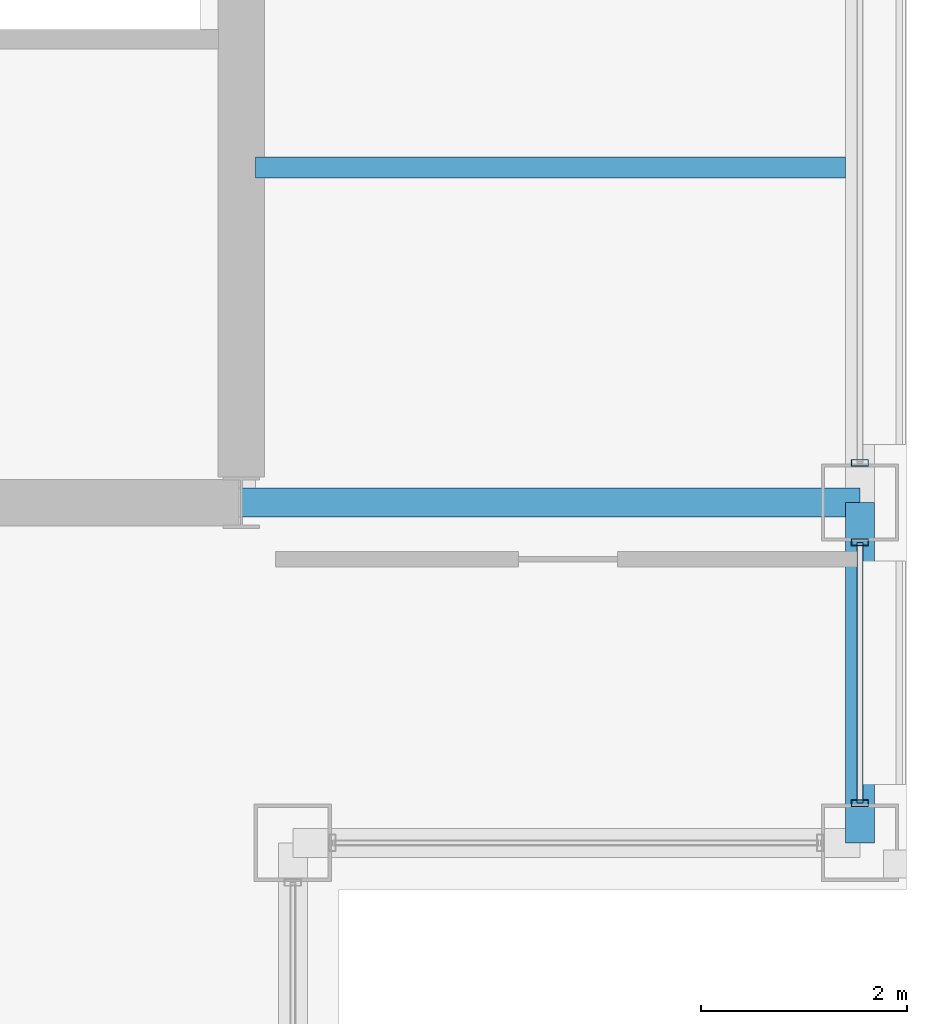
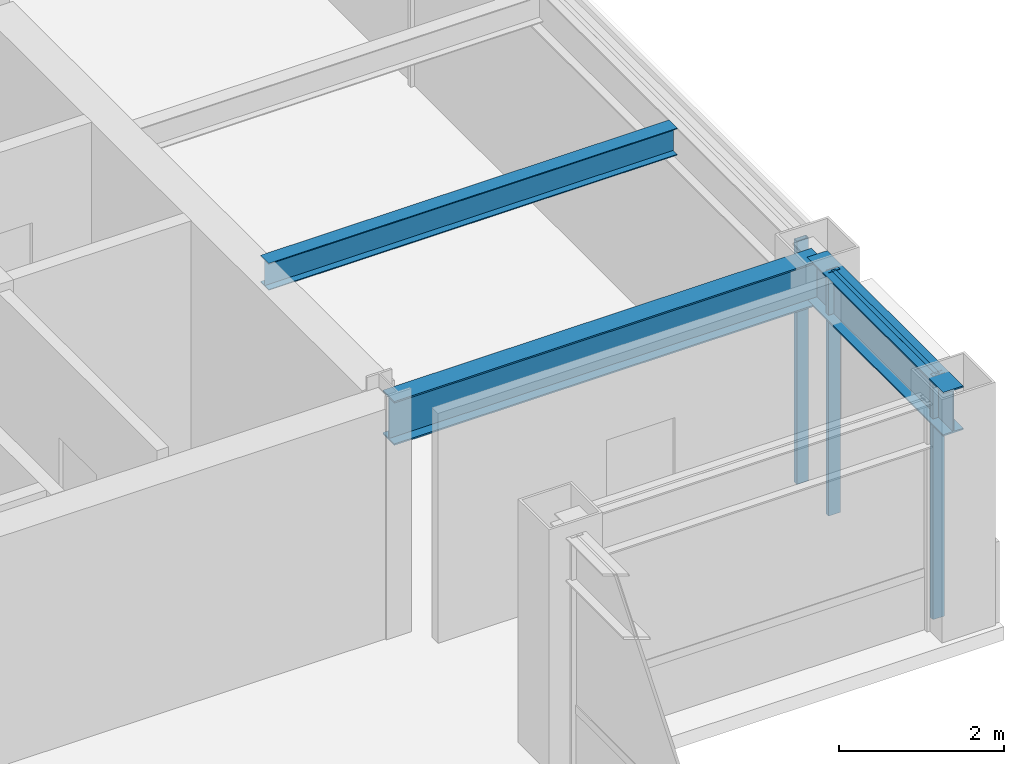
# One storey, part 14 of 31: 4 members, 3 beams, 2 elements without a shape of their own.
"""IFC4 building model written with IfcOpenShell, lengths in metres."""

from ifc_helpers import new_model, si_unit, direction, frame, origin, origin_2d, place, context, subcontext, project, spatial, hollow_rectangle, i_section, extrude, material, layer, layer_set, material_profile, profile_set, type_object, element, aggregate, save


model = new_model("IFC4")

# Units and contexts
model_context = context("Model", 3, precision=1e-05, world=origin(), true_north=direction((0.0, 1.0)))
body_context = subcontext(model_context, "Body", "Model", "MODEL_VIEW")
ifc_project = project(units=[si_unit("LENGTHUNIT", "METRE"), si_unit("AREAUNIT", "SQUARE_METRE"), si_unit("VOLUMEUNIT", "CUBIC_METRE"), si_unit("PLANEANGLEUNIT", "RADIAN"), si_unit("MASSUNIT", "GRAM", prefix="KILO")], contexts=[model_context])

# Site, building, storey
site_placement = place(None, origin())
site = spatial("IfcSite", under=ifc_project, at=site_placement, CompositionType="ELEMENT")
building_placement = place(site_placement, origin())
building = spatial("IfcBuilding", under=site, at=building_placement, Name="Brelmoor Portico Tower", CompositionType="ELEMENT")
storey_placement = place(building_placement, frame((0.0, 0.0, 176.699951171875)))
storey = spatial("IfcBuildingStorey", under=building, at=storey_placement, Name="L46", CompositionType="ELEMENT", Elevation=176.699951171875)

# Beams
ifc_material_1 = material(Name="Steel Q355B", Category="steel")
ifc_material_profile_1 = material_profile(ifc_material_1, i_section(OverallWidth=0.199951171875, OverallDepth=0.39990234375, WebThickness=0.008056640625, FlangeThickness=0.012939453125, at=origin_2d()), Name="HN 400x200x8x13")
ifc_profile_set_1 = profile_set([ifc_material_profile_1], Name="Steel Q355B")
beam_type_1 = type_object("IfcBeamType", Name="BM-JS-400", PredefinedType="JOIST", material=ifc_profile_set_1)
beam_1_placement = place(storey_placement, frame((14.68994140625, -6.5, 3.199951171875), z_axis=(1.0, 0.0, 0.0), x_axis=(0.0, 1.0, 0.0)))
element("IfcBeam", 1, at=beam_1_placement, inside=storey, type_object=beam_type_1, Name="L46 Secondary Wing Joist JS-E09", PredefinedType="JOIST", context=body_context, shape_type="SweptSolid", body=[
    extrude(i_section(OverallWidth=0.199951171875, OverallDepth=0.39990234375, WebThickness=0.008056640625, FlangeThickness=0.012939453125, at=origin_2d()), origin(), (0.0, 0.0, 1.0), 5.719970703125),
])
ifc_material_profile_2 = material_profile(ifc_material_1, i_section(OverallWidth=0.280029296875, OverallDepth=0.64990234375, WebThickness=0.012939453125, FlangeThickness=0.02197265625, at=origin_2d()), Name="HN 650x280x13x22")
ifc_profile_set_2 = profile_set([ifc_material_profile_2], Name="Steel Q355B")
beam_type_2 = type_object("IfcBeamType", Name="BM-PG-650", PredefinedType="BEAM", material=ifc_profile_set_2)
beam_2_placement = place(storey_placement, frame((14.550048828125, -9.75, 3.074951171875), z_axis=(1.0, 0.0, 0.0), x_axis=(0.0, 1.0, 0.0)))
element("IfcBeam", 2, at=beam_2_placement, inside=storey, type_object=beam_type_2, Name="L46 Primary Floor Girder PG-15", PredefinedType="BEAM", context=body_context, shape_type="SweptSolid", body=[
    extrude(i_section(OverallWidth=0.280029296875, OverallDepth=0.64990234375, WebThickness=0.012939453125, FlangeThickness=0.02197265625, at=origin_2d()), origin(), (0.0, 0.0, 1.0), 6.0),
])
ifc_material_profile_3 = material_profile(ifc_material_1, i_section(OverallWidth=0.280029296875, OverallDepth=0.64990234375, WebThickness=0.012939453125, FlangeThickness=0.02197265625, at=origin_2d()), Name="HN 650x280x13x22")
ifc_profile_set_3 = profile_set([ifc_material_profile_3], Name="Steel Q355B")
beam_type_3 = type_object("IfcBeamType", Name="BM-SP-650", PredefinedType="SPANDREL", material=ifc_profile_set_3)
beam_3_placement = place(storey_placement, frame((20.550048828125, -13.050048828125, 3.074951171875), z_axis=(0.0, 1.0, 0.0), x_axis=(-1.0, 0.0, 0.0)))
element("IfcBeam", 3, at=beam_3_placement, inside=storey, type_object=beam_type_3, Name="L46 Perimeter Spandrel Beam SP-18", PredefinedType="SPANDREL", context=body_context, shape_type="SweptSolid", body=[
    extrude(i_section(OverallWidth=0.280029296875, OverallDepth=0.64990234375, WebThickness=0.012939453125, FlangeThickness=0.02197265625, at=origin_2d()), origin(), (0.0, 0.0, 1.0), 3.300048828125),
])

# Curtain wall, members
ifc_material_2 = material(Name="Anodised Aluminium Alloy 6063-T6", Category="aluminium")
ifc_layer = layer(ifc_material_2, 0.179931640625)
ifc_layer_set = layer_set([ifc_layer], Name="Anodised Aluminium Alloy 6063-T6")
curtain_wall_type = type_object("IfcCurtainWallType", Name="CW-TOWER-Z3-XB", PredefinedType="NOTDEFINED", material=ifc_layer_set)
curtain_wall_1_placement = place(storey_placement, origin())
curtain_wall_1 = element("IfcCurtainWall", 4, at=curtain_wall_1_placement, inside=storey, type_object=curtain_wall_type, Name="L46 Curtain Wall CW-L46-04-1", PredefinedType="NOTDEFINED")
ifc_material_profile_4 = material_profile(ifc_material_2, hollow_rectangle(XDim=0.06494140625, YDim=0.1650390625, WallThickness=0.00390625, at=origin_2d()), Name="ALU MULLION 65x165")
ifc_profile_set_4 = profile_set([ifc_material_profile_4], Name="Anodised Aluminium Alloy 6063-T6")
member_type_1 = type_object("IfcMemberType", Name="MB-CW-MULL-165", PredefinedType="MULLION", material=ifc_profile_set_4)
member_1_placement = place(storey_placement, frame((20.550048828125, -12.6650390625, -0.199951171875), z_axis=(0.0, 0.0, 1.0), x_axis=(0.0, 1.0, 0.0)))
member_1 = element("IfcMember", 5, at=member_1_placement, type_object=member_type_1, Name="CW-L46-04-1 Mullion 00", PredefinedType="MULLION", context=body_context, shape_type="SweptSolid", body=[
    extrude(hollow_rectangle(XDim=0.06494140625, YDim=0.1650390625, WallThickness=0.00390625, at=origin_2d()), origin(), (0.0, 0.0, 1.0), 3.60009765625),
])
member_2_placement = place(storey_placement, frame((20.550048828125, -10.135009765625, -0.199951171875), z_axis=(0.0, 0.0, 1.0), x_axis=(0.0, 1.0, 0.0)))
member_2 = element("IfcMember", 6, at=member_2_placement, type_object=member_type_1, Name="CW-L46-04-1 Mullion 01", PredefinedType="MULLION", context=body_context, shape_type="SweptSolid", body=[
    extrude(hollow_rectangle(XDim=0.06494140625, YDim=0.1650390625, WallThickness=0.00390625, at=origin_2d()), origin(), (0.0, 0.0, 1.0), 3.60009765625),
])

# Curtain wall, member
curtain_wall_2_placement = place(storey_placement, origin())
curtain_wall_2 = element("IfcCurtainWall", 7, at=curtain_wall_2_placement, inside=storey, type_object=curtain_wall_type, Name="L46 Curtain Wall CW-L46-04-2", PredefinedType="NOTDEFINED")
member_3_placement = place(storey_placement, frame((20.550048828125, -9.364990234375, -0.199951171875), z_axis=(0.0, 0.0, 1.0), x_axis=(0.0, 1.0, 0.0)))
member_3 = element("IfcMember", 8, at=member_3_placement, type_object=member_type_1, Name="CW-L46-04-2 Mullion 00", PredefinedType="MULLION", context=body_context, shape_type="SweptSolid", body=[
    extrude(hollow_rectangle(XDim=0.06494140625, YDim=0.1650390625, WallThickness=0.00390625, at=origin_2d()), origin(), (0.0, 0.0, 1.0), 3.60009765625),
])
aggregate(curtain_wall_2, [member_3])

# Member
ifc_material_profile_5 = material_profile(ifc_material_2, hollow_rectangle(XDim=0.06005859375, YDim=0.125, WallThickness=0.00341796875, at=origin_2d()), Name="ALU TRANSOM 60x125")
ifc_profile_set_5 = profile_set([ifc_material_profile_5], Name="Anodised Aluminium Alloy 6063-T6")
member_type_2 = type_object("IfcMemberType", Name="MB-CW-TRAN-125", PredefinedType="USERDEFINED", material=ifc_profile_set_5)
member_4_placement = place(storey_placement, frame((20.550048828125, -12.6650390625, 3.337646484375), z_axis=(0.0, 1.0, 0.0), x_axis=(-1.0, 0.0, 0.0)))
member_4 = element("IfcMember", 9, at=member_4_placement, type_object=member_type_2, Name="CW-L46-04-1 Transom 1-00", ObjectType="TRANSOM", PredefinedType="USERDEFINED", context=body_context, shape_type="SweptSolid", body=[
    extrude(hollow_rectangle(XDim=0.06005859375, YDim=0.125, WallThickness=0.00341796875, at=origin_2d()), origin(), (0.0, 0.0, 1.0), 2.530029296875),
])

aggregate(curtain_wall_1, [member_1, member_2, member_4])

save(model, "model.ifc")
